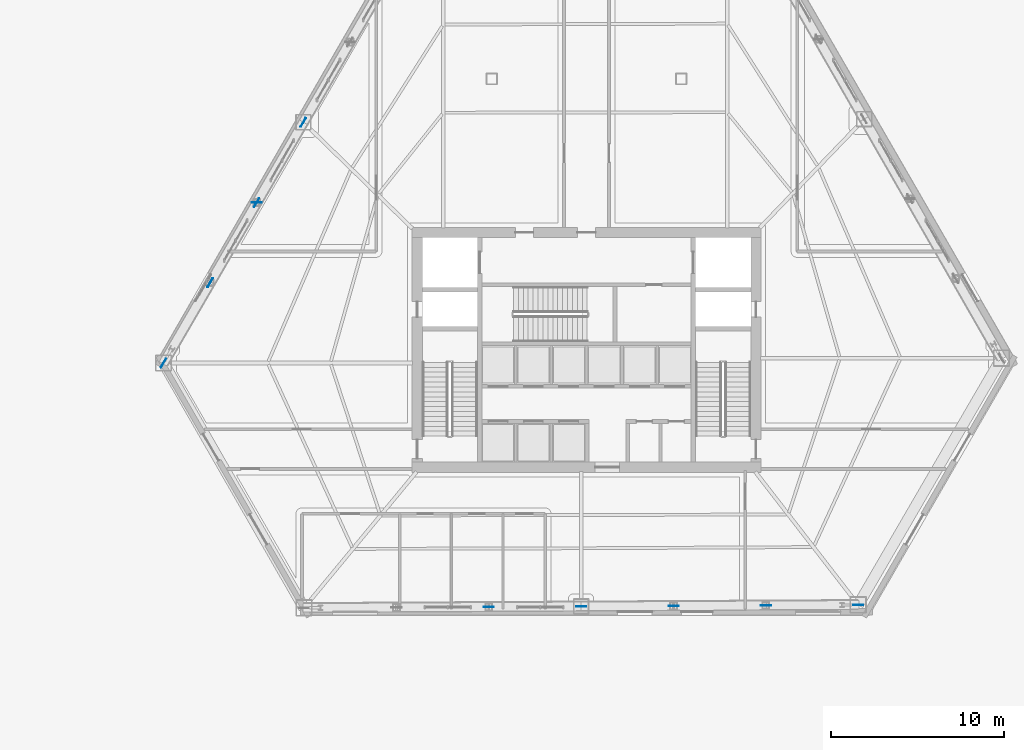
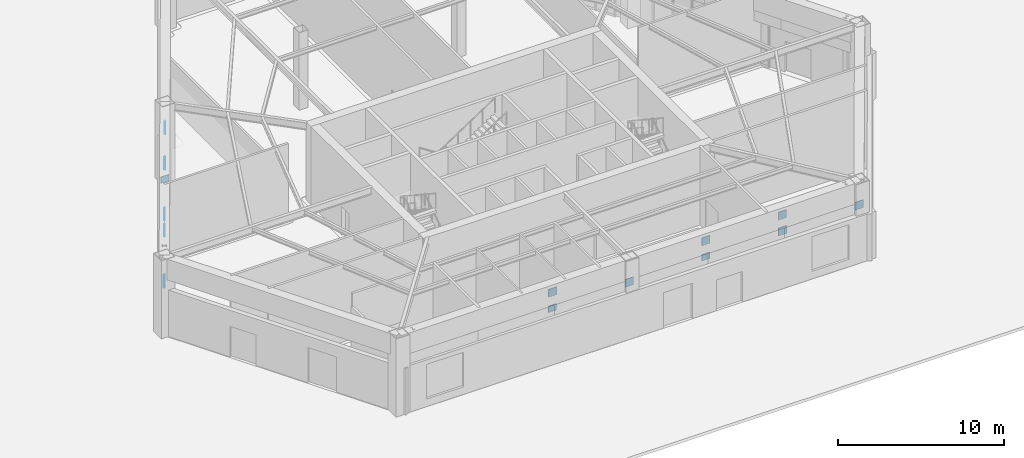
# One storey, part 12 of 20: 14 plates.
"""IFC4 building model written with IfcOpenShell, lengths in metres."""

from ifc_helpers import new_model, si_unit, direction, frame, origin, origin_2d, place, context, subcontext, project, spatial, rectangle, extrude, material, layer, layer_set, type_object, element, save


model = new_model("IFC4")

# Units and contexts
model_context = context("Model", 3, precision=1e-05, world=origin(), true_north=direction((0.0, 1.0)))
body_context = subcontext(model_context, "Body", "Model", "MODEL_VIEW")
ifc_project = project(units=[si_unit("LENGTHUNIT", "METRE"), si_unit("AREAUNIT", "SQUARE_METRE"), si_unit("VOLUMEUNIT", "CUBIC_METRE"), si_unit("PLANEANGLEUNIT", "RADIAN"), si_unit("MASSUNIT", "GRAM", prefix="KILO")], contexts=[model_context])

# Site, building, storey
site_placement = place(None, origin())
site = spatial("IfcSite", under=ifc_project, at=site_placement, CompositionType="ELEMENT")
building_placement = place(site_placement, origin())
building = spatial("IfcBuilding", under=site, at=building_placement, Name="Kavelnor Concourse Tower", CompositionType="ELEMENT")
storey_placement = place(building_placement, origin())
storey = spatial("IfcBuildingStorey", under=building, at=storey_placement, Name="L00", CompositionType="ELEMENT", Elevation=0.0)

# Plates
ifc_material = material(Name="Steel Grade 350", Category="steel")
ifc_layer = layer(ifc_material, 0.0400390625, Name="Steel Grade 350")
ifc_layer_set = layer_set([ifc_layer], Name="Steel Grade 350")
plate_type = type_object("IfcPlateType", Name="PL-GUSSET-XFER", PredefinedType="USERDEFINED", material=ifc_layer_set)
for number, where, z_axis, x_axis, name in (
    (1, (21.581298828125, 29.28369140625, 3.52490234375), (0.0, 0.0, 1.0), (0.502416446459, 0.864625765478, 0.0), "L00 Transfer Diagonal F0-B2 End Gusset A"),
    (2, (18.878662109375, 24.632080078125, 4.68994140625), (0.0, 0.0, 1.0), (-0.502416446459, -0.864625765478, 0.0), "L00 Transfer Diagonal F0-B3 End Gusset B"),
    (3, (16.17626953125, 19.98046875, 3.52490234375), (0.0, 0.0, 1.0), (0.502265533143, 0.86471344052, 0.0), "L00 Transfer Diagonal F0-B4 End Gusset A"),
    (4, (13.473876953125, 15.328857421875, 3.52490234375), (0.0, 0.0, 1.0), (0.502416446459, 0.864625765478, 0.0), "L00 Transfer Diagonal F0-B5 End Gusset A"),
    (5, (16.188232421875, 20.001220703125, 4.68994140625), (0.0, 0.0, 1.0), (0.502416446459, 0.864625765478, 0.0), "L00 Transfer Diagonal F0-B5 End Gusset B"),
):
    element("IfcPlate", number, at=place(storey_placement, frame(where, z_axis=z_axis, x_axis=x_axis)), inside=storey, type_object=plate_type, Name=name, ObjectType="GUSSET_PLATE", PredefinedType="USERDEFINED", context=body_context, shape_type="SweptSolid", body=[
        extrude(rectangle(XDim=0.580078125, YDim=0.0400390625, at=origin_2d()), origin(), (0.0, 0.0, 1.0), 0.580078125),
    ])
plate_placement = place(storey_placement, frame((18.884765625, 24.642578125, 3.56298828125), z_axis=(0.0, 0.0, 1.0), x_axis=(1.0, 0.0, 0.0)))
element("IfcPlate", 6, at=plate_placement, inside=storey, type_object=plate_type, Name="L00 Transfer Truss Node Gusset GP1 F0-B4 End Gusset A", ObjectType="GUSSET_PLATE", PredefinedType="USERDEFINED", context=body_context, shape_type="SweptSolid", body=[
    extrude(rectangle(XDim=0.56005859375, YDim=0.0400390625, at=origin_2d()), origin(), (0.0, 0.0, 1.0), 0.47998046875),
])
for number, where, z_axis, x_axis, name in (
    (7, (32.343505859375, 1.200927734375, 4.68994140625), (0.0, 0.0, 1.0), (0.999985363169, 0.005410494284, 0.0), "L00 Transfer Diagonal F1-B1 End Gusset B"),
    (8, (37.697021484375, 1.22998046875, 3.52490234375), (0.0, 0.0, 1.0), (-0.999985363169, -0.005410494284, 0.0), "L00 Transfer Diagonal F1-B2 End Gusset A"),
    (9, (43.050537109375, 1.25927734375, 4.68994140625), (0.0, 0.0, 1.0), (0.999985363169, 0.005410494284, 0.0), "L00 Transfer Diagonal F1-B3 End Gusset B"),
    (10, (48.404052734375, 1.28857421875, 3.52490234375), (0.0, 0.0, 1.0), (-0.999985363169, -0.005410494284, 0.0), "L00 Transfer Diagonal F1-B4 End Gusset A"),
    (11, (53.757568359375, 1.317626953125, 3.52490234375), (0.0, 0.0, 1.0), (-0.999985363169, -0.005410494284, 0.0), "L00 Transfer Diagonal F1-B5 End Gusset A"),
    (12, (48.3798828125, 1.288330078125, 4.68994140625), (0.0, 0.0, 1.0), (-0.999985363169, -0.005410494284, 0.0), "L00 Transfer Diagonal F1-B5 End Gusset B"),
):
    element("IfcPlate", number, at=place(storey_placement, frame(where, z_axis=z_axis, x_axis=x_axis)), inside=storey, type_object=plate_type, Name=name, ObjectType="GUSSET_PLATE", PredefinedType="USERDEFINED", context=body_context, shape_type="SweptSolid", body=[
        extrude(rectangle(XDim=0.580078125, YDim=0.0400390625, at=origin_2d()), origin(), (0.0, 0.0, 1.0), 0.580078125),
    ])
for number, where, z_axis, x_axis, name in (
    (13, (32.33154296875, 1.20068359375, 3.56298828125), (0.0, 0.0, 1.0), (1.0, 0.0, 0.0), "L00 Transfer Truss Node Gusset GP1 F1-B2 End Gusset A"),
    (14, (43.03857421875, 1.25927734375, 3.56298828125), (0.0, 0.0, 1.0), (1.0, 0.0, 0.0), "L00 Transfer Truss Node Gusset GP1 F1-B4 End Gusset A"),
):
    element("IfcPlate", number, at=place(storey_placement, frame(where, z_axis=z_axis, x_axis=x_axis)), inside=storey, type_object=plate_type, Name=name, ObjectType="GUSSET_PLATE", PredefinedType="USERDEFINED", context=body_context, shape_type="SweptSolid", body=[
        extrude(rectangle(XDim=0.56005859375, YDim=0.0400390625, at=origin_2d()), origin(), (0.0, 0.0, 1.0), 0.47998046875),
    ])

save(model, "model.ifc")
